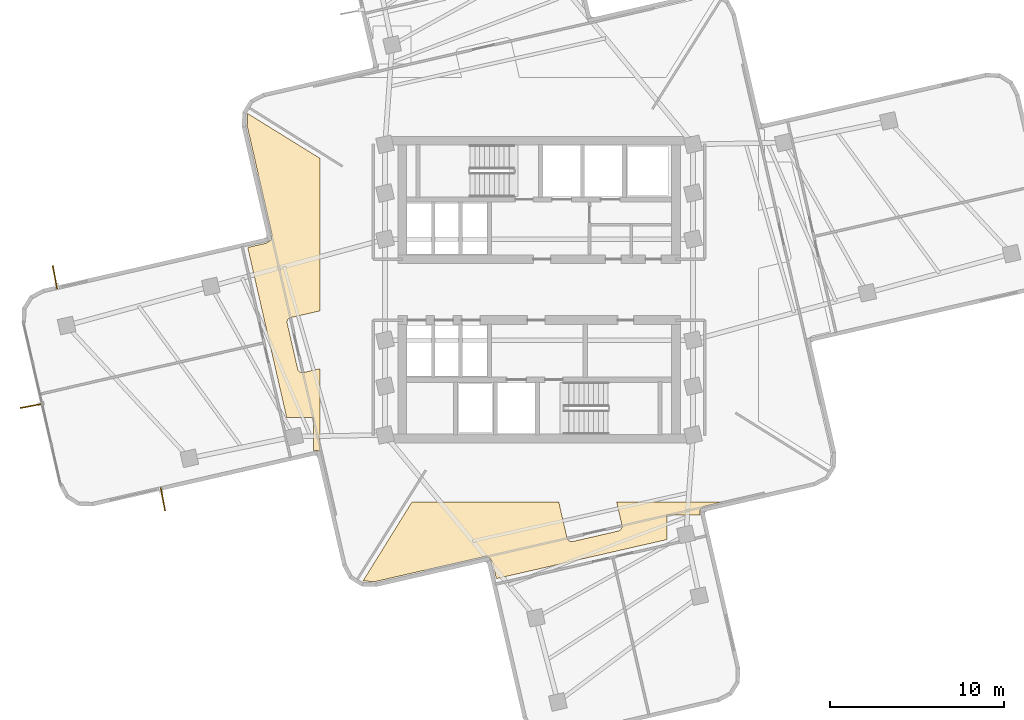
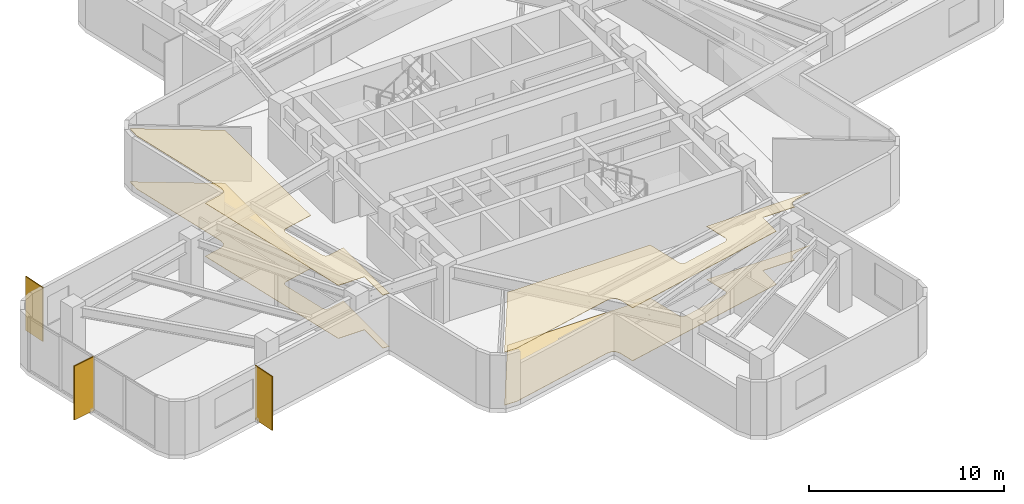
# One storey, part 9 of 11: 4 coverings, 3 shading devices.
"""IFC4 building model written with IfcOpenShell, lengths in metres."""

import ifcopenshell
import ifcopenshell.guid

model = None  # the IFC model being written
_history = None  # IfcOwnerHistory: only IFC2X3 demands one
_inside = {}  # id of a spatial element -> (the spatial element, [elements in it])
_under = {}  # id of a project, library or spatial element -> (it, [spatial elements below it])
_declared = {}  # id of a project -> (the project, [libraries it declares])
_typed = {}  # id of a type object -> (the type object, [elements of that type])
_made_of = {}  # id of a material, layer set ... -> (it, [elements and type objects made of it])


def new_model(schema):
    """Start an empty IFC model of exactly this schema.

    Asked for "IFC4X3", IfcOpenShell would pick the latest addendum, in which some entities
    have other attributes; the version numbers below select the first issue.
    IFC2X3 requires an IfcOwnerHistory on every rooted entity: one is made here for all.
    """
    global model, _history
    if schema == "IFC4X3":
        model = ifcopenshell.file(schema_version=(4, 3, 0, 0))
    else:
        model = ifcopenshell.file(schema=schema)
    _inside.clear()
    _under.clear()
    _declared.clear()
    _typed.clear()
    _made_of.clear()
    _history = None
    if model.schema == "IFC2X3":
        org = make("IfcOrganization", Name="unknown")
        user = make(
            "IfcPersonAndOrganization",
            ThePerson=make("IfcPerson", FamilyName="unknown"),
            TheOrganization=org,
        )
        app = make(
            "IfcApplication",
            ApplicationDeveloper=org,
            Version="unknown",
            ApplicationFullName="unknown",
            ApplicationIdentifier="unknown",
        )
        _history = make(
            "IfcOwnerHistory",
            OwningUser=user,
            OwningApplication=app,
            ChangeAction="ADDED",
            CreationDate=0,
        )
    return model


def make(cls, **values):
    """One entity of the class cls with the attributes given. An attribute that is None is left unset."""
    return model.create_entity(
        cls, **{name: value for name, value in values.items() if value is not None}
    )


def rooted(cls, **values):
    """An entity with a GlobalId (a new one), such as an element, a storey or a relation."""
    return make(cls, GlobalId=ifcopenshell.guid.new(), OwnerHistory=_history, **values)


def si_unit(unit_type, name, prefix=None):
    """IfcSIUnit, for example si_unit("LENGTHUNIT", "METRE", prefix="MILLI")."""
    return make("IfcSIUnit", UnitType=unit_type, Prefix=prefix, Name=name)


def assignment(units):
    """IfcUnitAssignment: the units of a project."""
    return None if units is None else make("IfcUnitAssignment", Units=units)


def point(xyz):
    """IfcCartesianPoint."""
    return None if xyz is None else make("IfcCartesianPoint", Coordinates=xyz)


def direction(xyz):
    """IfcDirection."""
    return None if xyz is None else make("IfcDirection", DirectionRatios=xyz)


def frame(location, z_axis=None, x_axis=None):
    """IfcAxis2Placement3D, a coordinate frame: its origin and axes. An axis left out is left unset."""
    return make(
        "IfcAxis2Placement3D",
        Location=point(location),
        Axis=direction(z_axis),
        RefDirection=direction(x_axis),
    )


def frame_2d(location, x_axis=None):
    """IfcAxis2Placement2D, a coordinate frame in the plane: its origin and x axis."""
    return make(
        "IfcAxis2Placement2D", Location=point(location), RefDirection=direction(x_axis)
    )


def origin():
    """The frame at (0, 0, 0) with its axes left unset."""
    return frame((0.0, 0.0, 0.0))


def origin_2d():
    """The frame at (0, 0) in the plane with its x axis left unset."""
    return frame_2d((0.0, 0.0))


def place(relative_to, where):
    """IfcLocalPlacement: puts the frame where relative to a parent placement (None: the world)."""
    return make(
        "IfcLocalPlacement", PlacementRelTo=relative_to, RelativePlacement=where
    )


def context(
    kind, dimensions, precision=None, world=None, true_north=None, identifier=None
):
    """IfcGeometricRepresentationContext, for example the 3D "Model" context."""
    return make(
        "IfcGeometricRepresentationContext",
        ContextIdentifier=identifier,
        ContextType=kind,
        CoordinateSpaceDimension=dimensions,
        Precision=precision,
        WorldCoordinateSystem=world,
        TrueNorth=true_north,
    )


def subcontext(parent, identifier, kind, view, scale=None):
    """IfcGeometricRepresentationSubContext, for example "Body" below "Model"."""
    return make(
        "IfcGeometricRepresentationSubContext",
        ContextIdentifier=identifier,
        ContextType=kind,
        ParentContext=parent,
        TargetScale=scale,
        TargetView=view,
    )


def project(units=None, contexts=None):
    """IfcProject with its units and contexts."""
    return rooted(
        "IfcProject",
        Name="project",
        RepresentationContexts=contexts,
        UnitsInContext=assignment(units),
    )


def spatial(cls, under=None, at=None, **own):
    """A site, building, storey or space (cls), placed at a placement, below another one or the project."""
    s = rooted(cls, ObjectPlacement=at, **own)
    if under is not None:
        _under.setdefault(under.id(), (under, []))[1].append(s)
    return s


def polyline(points):
    """IfcPolyline through the points."""
    return make("IfcPolyline", Points=[point(p) for p in points])


def profile(cls, at=None, kind="AREA", **sizes):
    """A parametric profile (cls). Its sizes go by their IFC names, for example OverallWidth=200.0."""
    return make(cls, ProfileType=kind, Position=at, **sizes)


def rectangle(**sizes):
    """IfcRectangleProfileDef."""
    return profile("IfcRectangleProfileDef", **sizes)


def outline(outer, holes=None, kind="AREA"):
    """IfcArbitraryClosedProfileDef: a profile drawn as a closed curve; with holes, ...WithVoids."""
    if holes is None:
        return make("IfcArbitraryClosedProfileDef", ProfileType=kind, OuterCurve=outer)
    return make(
        "IfcArbitraryProfileDefWithVoids",
        ProfileType=kind,
        OuterCurve=outer,
        InnerCurves=holes,
    )


def extrude(swept, where, along, depth):
    """IfcExtrudedAreaSolid: the profile swept, set in the frame where, extruded along a direction by depth."""
    return make(
        "IfcExtrudedAreaSolid",
        SweptArea=swept,
        Position=where,
        ExtrudedDirection=direction(along),
        Depth=depth,
    )


def shape(context_of_items, identifier, shape_type, items):
    """IfcShapeRepresentation: the items that make up one representation, for example the "Body"."""
    return make(
        "IfcShapeRepresentation",
        ContextOfItems=context_of_items,
        RepresentationIdentifier=identifier,
        RepresentationType=shape_type,
        Items=items,
    )


def material(Name=None, Category=None):
    """IfcMaterial."""
    return make("IfcMaterial", Name=Name, Category=Category)


def layer(
    of_material, thickness, ventilated=None, Name=None, Category=None, Priority=None
):
    """IfcMaterialLayer: one layer of a wall or slab, of a material (None: an air gap)."""
    return make(
        "IfcMaterialLayer",
        Material=of_material,
        LayerThickness=thickness,
        IsVentilated=ventilated,
        Name=Name,
        Category=Category,
        Priority=Priority,
    )


def layer_set(layers, Name=None):
    """IfcMaterialLayerSet."""
    return make("IfcMaterialLayerSet", MaterialLayers=layers, LayerSetName=Name)


def made_of(thing, what):
    """Note that an element or type object is made of a material, layer set ...; save() writes the relation."""
    if what is not None:
        _made_of.setdefault(what.id(), (what, []))[1].append(thing)
    return thing


def type_object(cls, material=None, **own):
    """A type object (cls), such as IfcWallType, which elements share."""
    return made_of(rooted(cls, **own), material)


def element(
    cls,
    number,
    at=None,
    inside=None,
    cuts=None,
    type_object=None,
    material=None,
    context=None,
    identifier="Body",
    shape_type=None,
    held_by="IfcProductDefinitionShape",
    body=None,
    shapes=None,
    **own,
):
    """One element of the class cls, such as IfcWall. Its Tag is "e" and its number.

    at: its placement. inside: the storey or other place that contains it. cuts: it is an
    opening in that element (IfcRelVoidsElement). A single representation is given by context,
    identifier, shape_type and body (its items); several are given by shapes. held_by: the class
    of the entity that holds the representations. save() writes the other relations.
    """
    e = rooted(cls, Tag="e%d" % number, ObjectPlacement=at, **own)
    if body is not None:
        shapes = [shape(context, identifier, shape_type, body)]
    if shapes is not None:
        e.Representation = make(held_by, Representations=shapes)
    if inside is not None:
        _inside.setdefault(inside.id(), (inside, []))[1].append(e)
    if cuts is not None:
        rooted(
            "IfcRelVoidsElement", RelatingBuildingElement=cuts, RelatedOpeningElement=e
        )
    if type_object is not None:
        _typed.setdefault(type_object.id(), (type_object, []))[1].append(e)
    return made_of(e, material)


def aggregate(whole, parts):
    """IfcRelAggregates: a whole, such as a stair, and the parts it consists of."""
    return rooted("IfcRelAggregates", RelatingObject=whole, RelatedObjects=parts)


def save(model, path):
    """Write the relations noted so far, then the file.

    IfcRelAggregates (storeys below a building ...), IfcRelContainedInSpatialStructure (elements
    in a storey), IfcRelDefinesByType, IfcRelAssociatesMaterial and IfcRelDeclares: one each for
    every whole, place, type object, material and project.
    """
    for whole, parts in _under.values():
        aggregate(whole, parts)
    for where, things in _inside.values():
        rooted(
            "IfcRelContainedInSpatialStructure",
            RelatedElements=things,
            RelatingStructure=where,
        )
    for kind, things in _typed.values():
        rooted("IfcRelDefinesByType", RelatedObjects=things, RelatingType=kind)
    for what, things in _made_of.values():
        rooted("IfcRelAssociatesMaterial", RelatedObjects=things, RelatingMaterial=what)
    for by, libraries in _declared.values():
        rooted("IfcRelDeclares", RelatingContext=by, RelatedDefinitions=libraries)
    model.write(path)


model = new_model("IFC4")

# Units and contexts
model_context = context("Model", 3, precision=1e-05, world=origin(), true_north=direction((0.0, 1.0)))
body_context = subcontext(model_context, "Body", "Model", "MODEL_VIEW")
ifc_project = project(units=[si_unit("LENGTHUNIT", "METRE"), si_unit("AREAUNIT", "SQUARE_METRE"), si_unit("VOLUMEUNIT", "CUBIC_METRE"), si_unit("PLANEANGLEUNIT", "RADIAN"), si_unit("MASSUNIT", "GRAM", prefix="KILO")], contexts=[model_context])

# Site, building, storey
site_placement = place(None, origin())
site = spatial("IfcSite", under=ifc_project, at=site_placement, CompositionType="ELEMENT")
building_placement = place(site_placement, origin())
building = spatial("IfcBuilding", under=site, at=building_placement, Name="Solmarez Civic Tower", CompositionType="ELEMENT")
storey_placement = place(building_placement, frame((0.0, 0.0, 119.8798828125)))
storey = spatial("IfcBuildingStorey", under=building, at=storey_placement, Name="L31", CompositionType="ELEMENT", Elevation=119.8798828125)

# Coverings
ifc_material_1 = material(Name="Perforated Mineral-Fibre Acoustic Ceiling")
ifc_layer_1 = layer(ifc_material_1, 0.02490234375)
ifc_layer_set_1 = layer_set([ifc_layer_1], Name="Perforated Mineral-Fibre Acoustic Ceiling")
covering_type_1 = type_object("IfcCoveringType", Name="COV-CEIL-ACOUSTIC", PredefinedType="CEILING", material=ifc_layer_set_1)
covering_1_placement = place(storey_placement, frame((0.0, 0.0, 3.315185546875)))
element("IfcCovering", 1, at=covering_1_placement, inside=storey, type_object=covering_type_1, Name="L31 Suspended Acoustic Ceiling 2", PredefinedType="CEILING", context=body_context, shape_type="SweptSolid", body=[
    extrude(outline(polyline([(-3.26708984375, -15.367919921875), (-3.25390625, -15.364013671875), (-3.23095703125, -15.360107421875), (-3.20703125, -15.35888671875), (-3.193115234375, -15.35888671875), (-3.18505859375, -15.35888671875), (-3.012939453125, -15.364990234375), (-2.993896484375, -15.366943359375), (-2.98193359375, -15.367919921875), (-2.97509765625, -15.368896484375), (-2.952880859375, -15.3740234375), (-2.945068359375, -15.3759765625), (-2.927978515625, -15.381103515625), (-2.910888671875, -15.386962890625), (-2.89697265625, -15.39306640625), (-2.87890625, -15.402099609375), (-2.862060546875, -15.412109375), (-2.85595703125, -15.416015625), (-2.8369140625, -15.429931640625), (-2.8310546875, -15.43505859375), (-2.824951171875, -15.43994140625), (-2.81005859375, -15.452880859375), (-2.797119140625, -15.468017578125), (-2.7919921875, -15.47412109375), (-2.778076171875, -15.492919921875), (-2.77001953125, -15.5048828125), (-2.759033203125, -15.52392578125), (-2.677978515625, -15.676025390625), (-2.669921875, -15.69189453125), (-2.6669921875, -15.698974609375), (-2.659912109375, -15.716064453125), (-2.657958984375, -15.721923828125), (-2.655029296875, -15.73193359375), (-2.653076171875, -15.739013671875), (-2.65087890625, -15.75), (-2.455078125, -16.60693359375), (7.344970703125, -14.363037109375), (7.344970703125, -12.964111328125), (9.23388671875, -12.962890625), (9.23388671875, -12.9560546875), (9.23388671875, -12.947998046875), (9.239990234375, -12.77587890625), (9.241943359375, -12.7529296875), (9.242919921875, -12.748046875), (9.243896484375, -12.741943359375), (9.24609375, -12.72509765625), (9.25, -12.708984375), (9.251953125, -12.701904296875), (9.261962890625, -12.675048828125), (9.264892578125, -12.66796875), (9.26806640625, -12.660888671875), (9.277099609375, -12.64306640625), (9.287109375, -12.6259765625), (9.291015625, -12.6201171875), (9.304931640625, -12.60107421875), (9.31005859375, -12.594970703125), (9.31494140625, -12.589111328125), (9.327880859375, -12.573974609375), (9.343017578125, -12.56103515625), (9.34912109375, -12.555908203125), (9.367919921875, -12.5419921875), (9.3740234375, -12.5380859375), (9.386962890625, -12.530029296875), (9.39404296875, -12.52587890625), (9.39990234375, -12.52294921875), (9.552001953125, -12.44189453125), (9.556884765625, -12.43896484375), (9.56298828125, -12.43603515625), (9.591064453125, -12.424072265625), (9.596923828125, -12.422119140625), (9.60693359375, -12.4189453125), (9.614013671875, -12.4169921875), (9.625, -12.4150390625), (10.56201171875, -12.199951171875), (4.45703125, -12.199951171875), (4.764892578125, -13.548095703125), (4.76708984375, -13.553955078125), (4.76806640625, -13.55908203125), (4.77099609375, -13.580078125), (4.77197265625, -13.60205078125), (4.77197265625, -13.611083984375), (4.77099609375, -13.633056640625), (4.76806640625, -13.654052734375), (4.76708984375, -13.658935546875), (4.76611328125, -13.6640625), (4.759033203125, -13.69091796875), (4.756103515625, -13.699951171875), (4.7470703125, -13.721923828125), (4.736083984375, -13.742919921875), (4.73291015625, -13.748046875), (4.721923828125, -13.763916015625), (4.7109375, -13.778076171875), (4.7060546875, -13.783935546875), (4.697998046875, -13.7939453125), (4.68408203125, -13.80810546875), (4.66796875, -13.821044921875), (4.652099609375, -13.8330078125), (4.64404296875, -13.837890625), (4.615966796875, -13.85205078125), (4.60693359375, -13.85595703125), (4.60009765625, -13.85888671875), (4.594970703125, -13.861083984375), (4.5791015625, -13.866943359375), (4.56201171875, -13.87109375), (1.929931640625, -14.47412109375), (1.924072265625, -14.47607421875), (1.9189453125, -14.47705078125), (1.89794921875, -14.47998046875), (1.8759765625, -14.48095703125), (1.866943359375, -14.48095703125), (1.844970703125, -14.47998046875), (1.823974609375, -14.47705078125), (1.819091796875, -14.47607421875), (1.81396484375, -14.47509765625), (1.787109375, -14.468017578125), (1.778076171875, -14.465087890625), (1.756103515625, -14.4560546875), (1.735107421875, -14.445068359375), (1.72998046875, -14.44189453125), (1.714111328125, -14.430908203125), (1.699951171875, -14.419921875), (1.694091796875, -14.4150390625), (1.68408203125, -14.406982421875), (1.669921875, -14.39306640625), (1.656982421875, -14.376953125), (1.64501953125, -14.361083984375), (1.639892578125, -14.35302734375), (1.6259765625, -14.324951171875), (1.6220703125, -14.31591796875), (1.618896484375, -14.30908203125), (1.616943359375, -14.303955078125), (1.611083984375, -14.2880859375), (1.60693359375, -14.27099609375), (1.132080078125, -12.199951171875), (-7.301025390625, -12.199951171875), (-10.116943359375, -16.742919921875), (-10.111083984375, -16.74609375), (-9.403076171875, -16.77294921875), (-3.26708984375, -15.367919921875)])), origin(), (0.0, 0.0, 1.0), 0.02490234375),
])
covering_2_placement = place(storey_placement, frame((0.0, 0.0, 3.315185546875)))
element("IfcCovering", 2, at=covering_2_placement, inside=storey, type_object=covering_type_1, Name="L31 Suspended Acoustic Ceiling 4", PredefinedType="CEILING", context=body_context, shape_type="SweptSolid", body=[
    extrude(outline(polyline([(-15.367919921875, 3.26708984375), (-15.364013671875, 3.25390625), (-15.360107421875, 3.23095703125), (-15.35888671875, 3.20703125), (-15.35888671875, 3.193115234375), (-15.35888671875, 3.18505859375), (-15.364990234375, 3.012939453125), (-15.366943359375, 2.993896484375), (-15.367919921875, 2.98193359375), (-15.368896484375, 2.97509765625), (-15.3740234375, 2.952880859375), (-15.3759765625, 2.945068359375), (-15.381103515625, 2.927978515625), (-15.386962890625, 2.910888671875), (-15.39306640625, 2.89697265625), (-15.402099609375, 2.87890625), (-15.412109375, 2.862060546875), (-15.416015625, 2.85595703125), (-15.429931640625, 2.8369140625), (-15.43505859375, 2.8310546875), (-15.43994140625, 2.824951171875), (-15.452880859375, 2.81005859375), (-15.468017578125, 2.797119140625), (-15.47412109375, 2.7919921875), (-15.492919921875, 2.778076171875), (-15.5048828125, 2.77001953125), (-15.52392578125, 2.759033203125), (-15.676025390625, 2.677978515625), (-15.69189453125, 2.669921875), (-15.698974609375, 2.6669921875), (-15.716064453125, 2.659912109375), (-15.721923828125, 2.657958984375), (-15.73193359375, 2.655029296875), (-15.739013671875, 2.653076171875), (-15.75, 2.65087890625), (-16.742919921875, 2.423095703125), (-14.506103515625, -7.344970703125), (-12.964111328125, -7.344970703125), (-12.962890625, -9.23388671875), (-12.9560546875, -9.23388671875), (-12.947998046875, -9.23388671875), (-12.77587890625, -9.239990234375), (-12.7529296875, -9.241943359375), (-12.748046875, -9.242919921875), (-12.741943359375, -9.243896484375), (-12.72509765625, -9.24609375), (-12.708984375, -9.25), (-12.701904296875, -9.251953125), (-12.675048828125, -9.261962890625), (-12.66796875, -9.264892578125), (-12.660888671875, -9.26806640625), (-12.64306640625, -9.277099609375), (-12.6259765625, -9.287109375), (-12.6201171875, -9.291015625), (-12.60009765625, -9.305908203125), (-12.60009765625, -4.548095703125), (-13.548095703125, -4.764892578125), (-13.553955078125, -4.76708984375), (-13.55908203125, -4.76806640625), (-13.580078125, -4.77099609375), (-13.60205078125, -4.77197265625), (-13.611083984375, -4.77197265625), (-13.633056640625, -4.77099609375), (-13.654052734375, -4.76806640625), (-13.658935546875, -4.76708984375), (-13.6640625, -4.76611328125), (-13.69091796875, -4.759033203125), (-13.699951171875, -4.756103515625), (-13.721923828125, -4.7470703125), (-13.742919921875, -4.736083984375), (-13.748046875, -4.73291015625), (-13.763916015625, -4.721923828125), (-13.778076171875, -4.7109375), (-13.783935546875, -4.7060546875), (-13.7939453125, -4.697998046875), (-13.80810546875, -4.68408203125), (-13.821044921875, -4.66796875), (-13.8330078125, -4.652099609375), (-13.837890625, -4.64404296875), (-13.85205078125, -4.615966796875), (-13.85595703125, -4.60693359375), (-13.85888671875, -4.60009765625), (-13.861083984375, -4.594970703125), (-13.866943359375, -4.5791015625), (-13.87109375, -4.56201171875), (-14.47412109375, -1.929931640625), (-14.47607421875, -1.924072265625), (-14.47705078125, -1.9189453125), (-14.47998046875, -1.89794921875), (-14.48095703125, -1.8759765625), (-14.48095703125, -1.866943359375), (-14.47998046875, -1.844970703125), (-14.47705078125, -1.823974609375), (-14.47607421875, -1.819091796875), (-14.47509765625, -1.81396484375), (-14.468017578125, -1.787109375), (-14.465087890625, -1.778076171875), (-14.4560546875, -1.756103515625), (-14.445068359375, -1.735107421875), (-14.44189453125, -1.72998046875), (-14.430908203125, -1.714111328125), (-14.419921875, -1.699951171875), (-14.4150390625, -1.694091796875), (-14.406982421875, -1.68408203125), (-14.39306640625, -1.669921875), (-14.376953125, -1.656982421875), (-14.361083984375, -1.64501953125), (-14.35302734375, -1.639892578125), (-14.324951171875, -1.6259765625), (-14.31591796875, -1.6220703125), (-14.30908203125, -1.618896484375), (-14.303955078125, -1.616943359375), (-14.2880859375, -1.611083984375), (-14.27099609375, -1.60693359375), (-12.60009765625, -1.222900390625), (-12.60009765625, 7.550048828125), (-16.742919921875, 10.116943359375), (-16.74609375, 10.111083984375), (-16.77294921875, 9.403076171875), (-15.367919921875, 3.26708984375)])), origin(), (0.0, 0.0, 1.0), 0.02490234375),
])
ifc_material_2 = material(Name="Polished Tropical Stone Terrazzo Flooring", Category="masonry")
ifc_layer_2 = layer(ifc_material_2, 0.02001953125)
ifc_layer_set_2 = layer_set([ifc_layer_2], Name="Polished Tropical Stone Terrazzo Flooring")
covering_type_2 = type_object("IfcCoveringType", Name="COV-FLOOR-TERRAZZO", PredefinedType="FLOORING", material=ifc_layer_set_2)
covering_3_placement = place(storey_placement, origin())
element("IfcCovering", 3, at=covering_3_placement, inside=storey, type_object=covering_type_2, Name="L31 Terrazzo Floor Finish 2", PredefinedType="FLOORING", context=body_context, shape_type="SweptSolid", body=[
    extrude(outline(polyline([(-3.26708984375, -15.367919921875), (-3.25390625, -15.364013671875), (-3.23095703125, -15.360107421875), (-3.20703125, -15.35888671875), (-3.193115234375, -15.35888671875), (-3.18505859375, -15.35888671875), (-3.012939453125, -15.364990234375), (-2.993896484375, -15.366943359375), (-2.98193359375, -15.367919921875), (-2.97509765625, -15.368896484375), (-2.952880859375, -15.3740234375), (-2.945068359375, -15.3759765625), (-2.927978515625, -15.381103515625), (-2.910888671875, -15.386962890625), (-2.89697265625, -15.39306640625), (-2.87890625, -15.402099609375), (-2.862060546875, -15.412109375), (-2.85595703125, -15.416015625), (-2.8369140625, -15.429931640625), (-2.8310546875, -15.43505859375), (-2.824951171875, -15.43994140625), (-2.81005859375, -15.452880859375), (-2.797119140625, -15.468017578125), (-2.7919921875, -15.47412109375), (-2.778076171875, -15.492919921875), (-2.77001953125, -15.5048828125), (-2.759033203125, -15.52392578125), (-2.677978515625, -15.676025390625), (-2.669921875, -15.69189453125), (-2.6669921875, -15.698974609375), (-2.659912109375, -15.716064453125), (-2.657958984375, -15.721923828125), (-2.655029296875, -15.73193359375), (-2.653076171875, -15.739013671875), (-2.65087890625, -15.75), (-2.455078125, -16.60693359375), (7.344970703125, -14.363037109375), (7.344970703125, -12.964111328125), (9.23388671875, -12.962890625), (9.23388671875, -12.9560546875), (9.23388671875, -12.947998046875), (9.239990234375, -12.77587890625), (9.241943359375, -12.7529296875), (9.242919921875, -12.748046875), (9.243896484375, -12.741943359375), (9.24609375, -12.72509765625), (9.25, -12.708984375), (9.251953125, -12.701904296875), (9.261962890625, -12.675048828125), (9.264892578125, -12.66796875), (9.26806640625, -12.660888671875), (9.277099609375, -12.64306640625), (9.287109375, -12.6259765625), (9.291015625, -12.6201171875), (9.304931640625, -12.60107421875), (9.31005859375, -12.594970703125), (9.31494140625, -12.589111328125), (9.327880859375, -12.573974609375), (9.343017578125, -12.56103515625), (9.34912109375, -12.555908203125), (9.367919921875, -12.5419921875), (9.3740234375, -12.5380859375), (9.386962890625, -12.530029296875), (9.39404296875, -12.52587890625), (9.39990234375, -12.52294921875), (9.552001953125, -12.44189453125), (9.556884765625, -12.43896484375), (9.56298828125, -12.43603515625), (9.591064453125, -12.424072265625), (9.596923828125, -12.422119140625), (9.60693359375, -12.4189453125), (9.614013671875, -12.4169921875), (9.625, -12.4150390625), (10.56201171875, -12.199951171875), (4.45703125, -12.199951171875), (4.764892578125, -13.548095703125), (4.76708984375, -13.553955078125), (4.76806640625, -13.55908203125), (4.77099609375, -13.580078125), (4.77197265625, -13.60205078125), (4.77197265625, -13.611083984375), (4.77099609375, -13.633056640625), (4.76806640625, -13.654052734375), (4.76708984375, -13.658935546875), (4.76611328125, -13.6640625), (4.759033203125, -13.69091796875), (4.756103515625, -13.699951171875), (4.7470703125, -13.721923828125), (4.736083984375, -13.742919921875), (4.73291015625, -13.748046875), (4.721923828125, -13.763916015625), (4.7109375, -13.778076171875), (4.7060546875, -13.783935546875), (4.697998046875, -13.7939453125), (4.68408203125, -13.80810546875), (4.66796875, -13.821044921875), (4.652099609375, -13.8330078125), (4.64404296875, -13.837890625), (4.615966796875, -13.85205078125), (4.60693359375, -13.85595703125), (4.60009765625, -13.85888671875), (4.594970703125, -13.861083984375), (4.5791015625, -13.866943359375), (4.56201171875, -13.87109375), (1.929931640625, -14.47412109375), (1.924072265625, -14.47607421875), (1.9189453125, -14.47705078125), (1.89794921875, -14.47998046875), (1.8759765625, -14.48095703125), (1.866943359375, -14.48095703125), (1.844970703125, -14.47998046875), (1.823974609375, -14.47705078125), (1.819091796875, -14.47607421875), (1.81396484375, -14.47509765625), (1.787109375, -14.468017578125), (1.778076171875, -14.465087890625), (1.756103515625, -14.4560546875), (1.735107421875, -14.445068359375), (1.72998046875, -14.44189453125), (1.714111328125, -14.430908203125), (1.699951171875, -14.419921875), (1.694091796875, -14.4150390625), (1.68408203125, -14.406982421875), (1.669921875, -14.39306640625), (1.656982421875, -14.376953125), (1.64501953125, -14.361083984375), (1.639892578125, -14.35302734375), (1.6259765625, -14.324951171875), (1.6220703125, -14.31591796875), (1.618896484375, -14.30908203125), (1.616943359375, -14.303955078125), (1.611083984375, -14.2880859375), (1.60693359375, -14.27099609375), (1.132080078125, -12.199951171875), (-7.301025390625, -12.199951171875), (-10.116943359375, -16.742919921875), (-10.111083984375, -16.74609375), (-9.403076171875, -16.77294921875), (-3.26708984375, -15.367919921875)])), origin(), (0.0, 0.0, 1.0), 0.02001953125),
])
covering_4_placement = place(storey_placement, origin())
element("IfcCovering", 4, at=covering_4_placement, inside=storey, type_object=covering_type_2, Name="L31 Terrazzo Floor Finish 4", PredefinedType="FLOORING", context=body_context, shape_type="SweptSolid", body=[
    extrude(outline(polyline([(-15.367919921875, 3.26708984375), (-15.364013671875, 3.25390625), (-15.360107421875, 3.23095703125), (-15.35888671875, 3.20703125), (-15.35888671875, 3.193115234375), (-15.35888671875, 3.18505859375), (-15.364990234375, 3.012939453125), (-15.366943359375, 2.993896484375), (-15.367919921875, 2.98193359375), (-15.368896484375, 2.97509765625), (-15.3740234375, 2.952880859375), (-15.3759765625, 2.945068359375), (-15.381103515625, 2.927978515625), (-15.386962890625, 2.910888671875), (-15.39306640625, 2.89697265625), (-15.402099609375, 2.87890625), (-15.412109375, 2.862060546875), (-15.416015625, 2.85595703125), (-15.429931640625, 2.8369140625), (-15.43505859375, 2.8310546875), (-15.43994140625, 2.824951171875), (-15.452880859375, 2.81005859375), (-15.468017578125, 2.797119140625), (-15.47412109375, 2.7919921875), (-15.492919921875, 2.778076171875), (-15.5048828125, 2.77001953125), (-15.52392578125, 2.759033203125), (-15.676025390625, 2.677978515625), (-15.69189453125, 2.669921875), (-15.698974609375, 2.6669921875), (-15.716064453125, 2.659912109375), (-15.721923828125, 2.657958984375), (-15.73193359375, 2.655029296875), (-15.739013671875, 2.653076171875), (-15.75, 2.65087890625), (-16.742919921875, 2.423095703125), (-14.506103515625, -7.344970703125), (-12.964111328125, -7.344970703125), (-12.962890625, -9.23388671875), (-12.9560546875, -9.23388671875), (-12.947998046875, -9.23388671875), (-12.77587890625, -9.239990234375), (-12.7529296875, -9.241943359375), (-12.748046875, -9.242919921875), (-12.741943359375, -9.243896484375), (-12.72509765625, -9.24609375), (-12.708984375, -9.25), (-12.701904296875, -9.251953125), (-12.675048828125, -9.261962890625), (-12.66796875, -9.264892578125), (-12.660888671875, -9.26806640625), (-12.64306640625, -9.277099609375), (-12.6259765625, -9.287109375), (-12.6201171875, -9.291015625), (-12.60009765625, -9.305908203125), (-12.60009765625, -4.548095703125), (-13.548095703125, -4.764892578125), (-13.553955078125, -4.76708984375), (-13.55908203125, -4.76806640625), (-13.580078125, -4.77099609375), (-13.60205078125, -4.77197265625), (-13.611083984375, -4.77197265625), (-13.633056640625, -4.77099609375), (-13.654052734375, -4.76806640625), (-13.658935546875, -4.76708984375), (-13.6640625, -4.76611328125), (-13.69091796875, -4.759033203125), (-13.699951171875, -4.756103515625), (-13.721923828125, -4.7470703125), (-13.742919921875, -4.736083984375), (-13.748046875, -4.73291015625), (-13.763916015625, -4.721923828125), (-13.778076171875, -4.7109375), (-13.783935546875, -4.7060546875), (-13.7939453125, -4.697998046875), (-13.80810546875, -4.68408203125), (-13.821044921875, -4.66796875), (-13.8330078125, -4.652099609375), (-13.837890625, -4.64404296875), (-13.85205078125, -4.615966796875), (-13.85595703125, -4.60693359375), (-13.85888671875, -4.60009765625), (-13.861083984375, -4.594970703125), (-13.866943359375, -4.5791015625), (-13.87109375, -4.56201171875), (-14.47412109375, -1.929931640625), (-14.47607421875, -1.924072265625), (-14.47705078125, -1.9189453125), (-14.47998046875, -1.89794921875), (-14.48095703125, -1.8759765625), (-14.48095703125, -1.866943359375), (-14.47998046875, -1.844970703125), (-14.47705078125, -1.823974609375), (-14.47607421875, -1.819091796875), (-14.47509765625, -1.81396484375), (-14.468017578125, -1.787109375), (-14.465087890625, -1.778076171875), (-14.4560546875, -1.756103515625), (-14.445068359375, -1.735107421875), (-14.44189453125, -1.72998046875), (-14.430908203125, -1.714111328125), (-14.419921875, -1.699951171875), (-14.4150390625, -1.694091796875), (-14.406982421875, -1.68408203125), (-14.39306640625, -1.669921875), (-14.376953125, -1.656982421875), (-14.361083984375, -1.64501953125), (-14.35302734375, -1.639892578125), (-14.324951171875, -1.6259765625), (-14.31591796875, -1.6220703125), (-14.30908203125, -1.618896484375), (-14.303955078125, -1.616943359375), (-14.2880859375, -1.611083984375), (-14.27099609375, -1.60693359375), (-12.60009765625, -1.222900390625), (-12.60009765625, 7.550048828125), (-16.742919921875, 10.116943359375), (-16.74609375, 10.111083984375), (-16.77294921875, 9.403076171875), (-15.367919921875, 3.26708984375)])), origin(), (0.0, 0.0, 1.0), 0.02001953125),
])

# Shading devices
ifc_material_3 = material(Name="Bronze Anodised Aluminium EN AW-6063 T6", Category="aluminium")
ifc_layer_3 = layer(ifc_material_3, 0.06005859375)
ifc_layer_set_3 = layer_set([ifc_layer_3], Name="Bronze Anodised Aluminium EN AW-6063 T6")
shading_device_type = type_object("IfcShadingDeviceType", Name="FIN-BRONZE-Z34", PredefinedType="USERDEFINED", material=ifc_layer_set_3)
for number, where, z_axis, x_axis, name in (
    (5, (-21.616943359375, -12.0439453125, -0.039794921875), (0.0, 0.0, 1.0), (0.186146788396, -0.982521945388, 0.0), "L31 Anodised Bronze Solar Fin FIN-L31-01"),
    (6, (-29.159912109375, -6.678955078125, -0.039794921875), (0.0, 0.0, 1.0), (-0.982512197419, -0.18619823287, 0.0), "L31 Anodised Bronze Solar Fin FIN-L31-02"),
    (7, (-27.822998046875, 0.720947265625, -0.039794921875), (0.0, 0.0, 1.0), (-0.186163936611, 0.982518696364, 0.0), "L31 Anodised Bronze Solar Fin FIN-L31-03"),
):
    element("IfcShadingDevice", number, at=place(storey_placement, frame(where, z_axis=z_axis, x_axis=x_axis)), inside=storey, type_object=shading_device_type, Name=name, ObjectType="FIN", PredefinedType="USERDEFINED", context=body_context, shape_type="SweptSolid", body=[
        extrude(rectangle(XDim=1.35009765625, YDim=0.06005859375, at=origin_2d()), origin(), (0.0, 0.0, 1.0), 3.3798828125),
    ])

save(model, "model.ifc")
